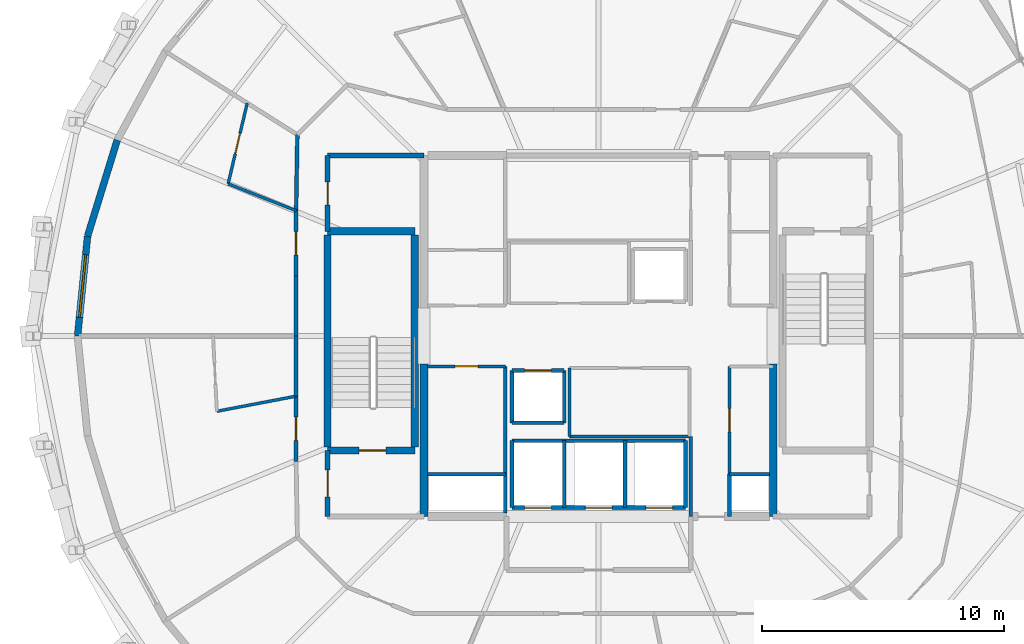
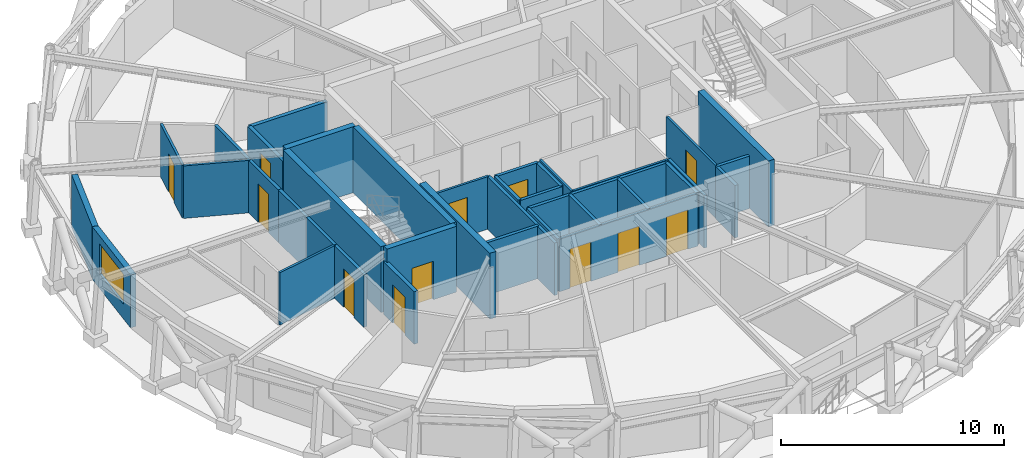
# One storey, part 14 of 18: 38 walls, 12 doors, 1 window, 13 openings.
"""IFC4 building model written with IfcOpenShell, lengths in metres."""

from ifc_helpers import new_model, si_unit, direction, frame, frame_2d, origin, place, context, subcontext, project, spatial, rectangle, extrude, material, layer, layer_set, type_object, element, fill, save


model = new_model("IFC4")

# Units and contexts
model_context = context("Model", 3, precision=1e-05, world=origin(), true_north=direction((0.0, 1.0)))
body_context = subcontext(model_context, "Body", "Model", "MODEL_VIEW")
ifc_project = project(units=[si_unit("LENGTHUNIT", "METRE"), si_unit("AREAUNIT", "SQUARE_METRE"), si_unit("VOLUMEUNIT", "CUBIC_METRE"), si_unit("PLANEANGLEUNIT", "RADIAN"), si_unit("MASSUNIT", "GRAM", prefix="KILO")], contexts=[model_context])

# Site, building, storey
site_placement = place(None, origin())
site = spatial("IfcSite", under=ifc_project, at=site_placement, CompositionType="ELEMENT")
building_placement = place(site_placement, origin())
building = spatial("IfcBuilding", under=site, at=building_placement, Name="Veldorina Hangang Commons", CompositionType="ELEMENT")
storey_placement = place(building_placement, frame((0.0, 0.0, 243.60009765625)))
storey = spatial("IfcBuildingStorey", under=building, at=storey_placement, Name="L63", CompositionType="ELEMENT", Elevation=243.60009765625)

# Walls
ifc_material_1 = material(Name="Concrete C50/60", Category="concrete")
ifc_layer_1 = layer(ifc_material_1, 0.320068359375)
ifc_layer_set_1 = layer_set([ifc_layer_1], Name="Concrete C50/60")
wall_type_1 = type_object("IfcWallType", Name="CW-RC320-C50", PredefinedType="SHEAR", material=ifc_layer_set_1)
for number, where, z_axis, x_axis, name in (
    (1, (24.800048828125, 16.550048828125, 0.0), (0.0, 0.0, 1.0), (0.0, 1.0, 0.0), "L63 W south core shear wall"),
    (2, (39.199951171875, 16.550048828125, 0.0), (0.0, 0.0, 1.0), (0.0, 1.0, 0.0), "L63 E south core shear wall"),
):
    element("IfcWall", number, at=place(storey_placement, frame(where, z_axis=z_axis, x_axis=x_axis)), inside=storey, type_object=wall_type_1, Name=name, PredefinedType="SHEAR", context=body_context, shape_type="SweptSolid", body=[
        extrude(rectangle(XDim=6.300048828125, YDim=0.320068359375, at=frame_2d((3.14990234375, 0.0))), origin(), (0.0, 0.0, 1.0), 3.599853515625),
    ])
ifc_material_2 = material(Name="Stone Roman Travertine", Category="masonry")
ifc_layer_2 = layer(ifc_material_2, 0.280029296875)
ifc_layer_set_2 = layer_set([ifc_layer_2], Name="Stone Roman Travertine")
wall_type_2 = type_object("IfcWallType", Name="EW-TRAV-280", PredefinedType="STANDARD", material=ifc_layer_set_2)
wall_1_placement = place(storey_placement, frame((12.142822265625, 32.0830078125, 0.0), z_axis=(0.0, 0.0, 1.0), x_axis=(-0.294900751468, -0.955527889066, 0.0)))
element("IfcWall", 3, at=wall_1_placement, inside=storey, type_object=wall_type_2, Name="L63 travertine facade wall 14", PredefinedType="STANDARD", context=body_context, shape_type="SweptSolid", body=[
    extrude(rectangle(XDim=4.146728515625, YDim=0.280029296875, at=frame_2d((2.0732421875, 0.0))), origin(), (0.0, 0.0, 1.0), 2.8798828125),
])

# Wall, opening, window
wall_2_placement = place(storey_placement, frame((10.919921875, 28.12060546875, 0.0), z_axis=(0.0, 0.0, 1.0), x_axis=(-0.099748868054, -0.995012644805, 0.0)))
wall_2 = element("IfcWall", 4, at=wall_2_placement, inside=storey, type_object=wall_type_2, Name="L63 travertine facade wall 15", PredefinedType="STANDARD", context=body_context, shape_type="SweptSolid", body=[
    extrude(rectangle(XDim=4.141357421875, YDim=0.280029296875, at=frame_2d((2.07080078125, 0.0))), origin(), (0.0, 0.0, 1.0), 2.8798828125),
])
opening_1_placement = place(wall_2_placement, frame((0.770751953125, 0.0, 0.800048828125)))
opening_1 = element("IfcOpeningElement", 5, at=opening_1_placement, cuts=wall_2, Name="Opening W-02", PredefinedType="OPENING", context=body_context, shape_type="SweptSolid", body=[
    extrude(rectangle(XDim=2.60009765625, YDim=1.64990234375, at=frame_2d((1.300048828125, 0.824951171875))), frame((0.0, 0.14990234375, 0.0), z_axis=(0.0, -1.0, 0.0), x_axis=(1.0, 0.0, 0.0)), (0.0, 0.0, 1.0), 0.300048828125),
])
ifc_material_3 = material(Name="Glass Low-E Triple IGU", Category="glass")
window_type = type_object("IfcWindowType", Name="WIN-TWR-2600", PartitioningType="SINGLE_PANEL", PredefinedType="WINDOW", material=ifc_material_3)
window_placement = place(opening_1_placement, origin())
window = element("IfcWindow", 6, at=window_placement, inside=storey, type_object=window_type, Name="L63 facade window 15", OverallHeight=1.64990234375, OverallWidth=2.60009765625, PartitioningType="SINGLE_PANEL", PredefinedType="WINDOW", context=body_context, shape_type="SweptSolid", body=[
    extrude(rectangle(XDim=2.60009765625, YDim=1.64990234375, at=frame_2d((1.300048828125, 0.824951171875))), frame((0.0, 0.030029296875, 0.0), z_axis=(0.0, -1.0, 0.0), x_axis=(1.0, 0.0, 0.0)), (0.0, 0.0, 1.0), 0.06005859375),
])
fill(opening_1, window)

# Walls
ifc_layer_3 = layer(ifc_material_1, 0.300048828125)
ifc_layer_set_3 = layer_set([ifc_layer_3], Name="Concrete C50/60")
wall_type_3 = type_object("IfcWallType", Name="SW-STAIR-300", PredefinedType="SHEAR", material=ifc_layer_set_3)
for number, where, z_axis, x_axis, name in (
    (7, (20.820068359375, 19.429931640625, 0.0), (0.0, 0.0, 1.0), (0.0, 1.0, 0.0), "L63 ST1 outer stair shear wall"),
    (8, (24.419921875, 19.429931640625, 0.0), (0.0, 0.0, 1.0), (0.0, 1.0, 0.0), "L63 ST1 inner stair shear wall"),
):
    element("IfcWall", number, at=place(storey_placement, frame(where, z_axis=z_axis, x_axis=x_axis)), inside=storey, type_object=wall_type_3, Name=name, PredefinedType="SHEAR", context=body_context, shape_type="SweptSolid", body=[
        extrude(rectangle(XDim=8.739990234375, YDim=0.300048828125, at=frame_2d((4.3701171875, 0.0))), origin(), (0.0, 0.0, 1.0), 3.599853515625),
    ])

# Wall, opening, door
wall_3_placement = place(storey_placement, frame((20.820068359375, 19.280029296875, 0.0), z_axis=(0.0, 0.0, 1.0), x_axis=(1.0, 0.0, 0.0)))
wall_3 = element("IfcWall", 9, at=wall_3_placement, inside=storey, type_object=wall_type_3, Name="L63 ST1 south stair shear wall", PredefinedType="SHEAR", context=body_context, shape_type="SweptSolid", body=[
    extrude(rectangle(XDim=3.599853515625, YDim=0.300048828125, at=frame_2d((1.7998046875, 0.0))), origin(), (0.0, 0.0, 1.0), 3.599853515625),
])
opening_2_placement = place(wall_3_placement, frame((1.300048828125, 0.0, 0.0)))
opening_2 = element("IfcOpeningElement", 10, at=opening_2_placement, cuts=wall_3, Name="Opening D-08", PredefinedType="OPENING", context=body_context, shape_type="SweptSolid", body=[
    extrude(rectangle(XDim=1.10009765625, YDim=2.10009765625, at=frame_2d((0.550048828125, 1.050048828125))), frame((0.0, 0.16015625, 0.0), z_axis=(0.0, -1.0, 0.0), x_axis=(1.0, 0.0, 0.0)), (0.0, 0.0, 1.0), 0.320068359375),
])
ifc_material_4 = material(Name="Steel Fire-Rated Smoke Seal", Category="steel")
door_type_1 = type_object("IfcDoorType", Name="DR-FIRE-1100", OperationType="SINGLE_SWING_RIGHT", PredefinedType="DOOR", material=ifc_material_4)
door_1_placement = place(opening_2_placement, origin())
door_1 = element("IfcDoor", 11, at=door_1_placement, inside=storey, type_object=door_type_1, Name="L63 Special Escape Stair ST-1 door", OperationType="SINGLE_SWING_LEFT", OverallHeight=2.10009765625, OverallWidth=1.10009765625, PredefinedType="DOOR", context=body_context, shape_type="SweptSolid", body=[
    extrude(rectangle(XDim=1.10009765625, YDim=2.10009765625, at=frame_2d((0.550048828125, 1.050048828125))), frame((0.0, 0.02490234375, 0.0), z_axis=(0.0, -1.0, 0.0), x_axis=(1.0, 0.0, 0.0)), (0.0, 0.0, 1.0), 0.050048828125),
])
fill(opening_2, door_1)

# Walls
wall_4_placement = place(storey_placement, frame((20.820068359375, 28.320068359375, 0.0), z_axis=(0.0, 0.0, 1.0), x_axis=(1.0, 0.0, 0.0)))
element("IfcWall", 12, at=wall_4_placement, inside=storey, type_object=wall_type_3, Name="L63 ST1 north stair shear wall", PredefinedType="SHEAR", context=body_context, shape_type="SweptSolid", body=[
    extrude(rectangle(XDim=3.599853515625, YDim=0.300048828125, at=frame_2d((1.7998046875, 0.0))), origin(), (0.0, 0.0, 1.0), 3.599853515625),
])
ifc_material_5 = material(Name="Gypsum Fire-Rated Twin Stud Wall", Category="gypsum")
ifc_layer_4 = layer(ifc_material_5, 0.159912109375)
ifc_layer_set_4 = layer_set([ifc_layer_4], Name="Gypsum Fire-Rated Twin Stud Wall")
wall_type_4 = type_object("IfcWallType", Name="WL-FIRE-160", PredefinedType="SOLIDWALL", material=ifc_layer_set_4)
wall_5_placement = place(storey_placement, frame((35.800048828125, 16.550048828125, 0.0), z_axis=(0.0, 0.0, 1.0), x_axis=(0.0, 1.0, 0.0)))
element("IfcWall", 13, at=wall_5_placement, inside=storey, type_object=wall_type_4, Name="L63 Lift passage SW wall 009", PredefinedType="SOLIDWALL", context=body_context, shape_type="SweptSolid", body=[
    extrude(rectangle(XDim=3.300048828125, YDim=0.159912109375, at=frame_2d((1.64990234375, 0.0))), origin(), (0.0, 0.0, 1.0), 2.869873046875),
])
wall_6_placement = place(storey_placement, frame((37.39990234375, 16.550048828125, 0.0), z_axis=(0.0, 0.0, 1.0), x_axis=(0.0, 1.0, 0.0)))
element("IfcWall", 14, at=wall_6_placement, inside=storey, type_object=wall_type_4, Name="L63 Lift passage SE stub 010", PredefinedType="SOLIDWALL", context=body_context, shape_type="SweptSolid", body=[
    extrude(rectangle(XDim=1.75, YDim=0.159912109375, at=frame_2d((0.875, 0.0))), origin(), (0.0, 0.0, 1.0), 2.869873046875),
])

# Wall, opening, door
wall_7_placement = place(storey_placement, frame((28.419921875, 22.580078125, 0.0), z_axis=(0.0, 0.0, 1.0), x_axis=(1.0, 0.0, 0.0)))
wall_7 = element("IfcWall", 15, at=wall_7_placement, inside=storey, type_object=wall_type_4, Name="L63 Shuttle-high front shaft wall 019", PredefinedType="SOLIDWALL", context=body_context, shape_type="SweptSolid", body=[
    extrude(rectangle(XDim=2.16015625, YDim=0.159912109375, at=frame_2d((1.080078125, 0.0))), origin(), (0.0, 0.0, 1.0), 2.869873046875),
])
opening_3_placement = place(wall_7_placement, frame((0.530029296875, 0.0, 0.0)))
opening_3 = element("IfcOpeningElement", 16, at=opening_3_placement, cuts=wall_7, Name="Opening LD-01", PredefinedType="OPENING", context=body_context, shape_type="SweptSolid", body=[
    extrude(rectangle(XDim=1.10009765625, YDim=2.14990234375, at=frame_2d((0.550048828125, 1.074951171875))), frame((0.0, 0.08984375, 0.0), z_axis=(0.0, -1.0, 0.0), x_axis=(1.0, 0.0, 0.0)), (0.0, 0.0, 1.0), 0.179931640625),
])
ifc_material_6 = material(Name="Stainless Steel Brushed Lift Door", Category="steel")
door_type_2 = type_object("IfcDoorType", Name="DR-LIFT-1100", OperationType="SLIDING_TO_LEFT", PredefinedType="DOOR", material=ifc_material_6)
door_2_placement = place(opening_3_placement, origin())
door_2 = element("IfcDoor", 17, at=door_2_placement, inside=storey, type_object=door_type_2, Name="L63 Lift PL-H2 landing door 007", OperationType="SLIDING_TO_LEFT", OverallHeight=2.14990234375, OverallWidth=1.10009765625, PredefinedType="DOOR", context=body_context, shape_type="SweptSolid", body=[
    extrude(rectangle(XDim=1.10009765625, YDim=2.14990234375, at=frame_2d((0.550048828125, 1.074951171875))), frame((0.0, 0.02490234375, 0.0), z_axis=(0.0, -1.0, 0.0), x_axis=(1.0, 0.0, 0.0)), (0.0, 0.0, 1.0), 0.050048828125),
])
fill(opening_3, door_2)

# Walls
for number, where, z_axis, x_axis, name in (
    (18, (28.419921875, 20.419921875, 0.0), (0.0, 0.0, 1.0), (1.0, 0.0, 0.0), "L63 Shuttle-high rear shaft wall 020"),
    (19, (28.419921875, 20.419921875, 0.0), (0.0, 0.0, 1.0), (0.0, 1.0, 0.0), "L63 PL-H2 west shaft wall 021"),
    (20, (30.580078125, 20.419921875, 0.0), (0.0, 0.0, 1.0), (0.0, 1.0, 0.0), "L63 PL-H2 east shaft wall 022"),
):
    element("IfcWall", number, at=place(storey_placement, frame(where, z_axis=z_axis, x_axis=x_axis)), inside=storey, type_object=wall_type_4, Name=name, PredefinedType="SOLIDWALL", context=body_context, shape_type="SweptSolid", body=[
        extrude(rectangle(XDim=2.16015625, YDim=0.159912109375, at=frame_2d((1.080078125, 0.0))), origin(), (0.0, 0.0, 1.0), 2.869873046875),
    ])

# Wall, openings, doors
wall_8_placement = place(storey_placement, frame((28.419921875, 16.919921875, 0.0), z_axis=(0.0, 0.0, 1.0), x_axis=(1.0, 0.0, 0.0)))
wall_8 = element("IfcWall", 21, at=wall_8_placement, inside=storey, type_object=wall_type_4, Name="L63 Emergency front shaft wall 023", PredefinedType="SOLIDWALL", context=body_context, shape_type="SweptSolid", body=[
    extrude(rectangle(XDim=7.16015625, YDim=0.159912109375, at=frame_2d((3.580078125, 0.0))), origin(), (0.0, 0.0, 1.0), 2.869873046875),
])
opening_4_placement = place(wall_8_placement, frame((0.530029296875, 0.0, 0.0)))
opening_4 = element("IfcOpeningElement", 22, at=opening_4_placement, cuts=wall_8, Name="Opening LD-03", PredefinedType="OPENING", context=body_context, shape_type="SweptSolid", body=[
    extrude(rectangle(XDim=1.10009765625, YDim=2.14990234375, at=frame_2d((0.550048828125, 1.074951171875))), frame((0.0, 0.08984375, 0.0), z_axis=(0.0, -1.0, 0.0), x_axis=(1.0, 0.0, 0.0)), (0.0, 0.0, 1.0), 0.179931640625),
])
opening_5_placement = place(wall_8_placement, frame((3.030029296875, 0.0, 0.0)))
opening_5 = element("IfcOpeningElement", 23, at=opening_5_placement, cuts=wall_8, Name="Opening LD-03", PredefinedType="OPENING", context=body_context, shape_type="SweptSolid", body=[
    extrude(rectangle(XDim=1.10009765625, YDim=2.14990234375, at=frame_2d((0.550048828125, 1.074951171875))), frame((0.0, 0.08984375, 0.0), z_axis=(0.0, -1.0, 0.0), x_axis=(1.0, 0.0, 0.0)), (0.0, 0.0, 1.0), 0.179931640625),
])
opening_6_placement = place(wall_8_placement, frame((5.530029296875, 0.0, 0.0)))
opening_6 = element("IfcOpeningElement", 24, at=opening_6_placement, cuts=wall_8, Name="Opening LD-03", PredefinedType="OPENING", context=body_context, shape_type="SweptSolid", body=[
    extrude(rectangle(XDim=1.10009765625, YDim=2.14990234375, at=frame_2d((0.550048828125, 1.074951171875))), frame((0.0, 0.08984375, 0.0), z_axis=(0.0, -1.0, 0.0), x_axis=(1.0, 0.0, 0.0)), (0.0, 0.0, 1.0), 0.179931640625),
])
ifc_material_7 = material(Name="Stainless Steel Firefighting Lift Door", Category="steel")
door_type_3 = type_object("IfcDoorType", Name="DR-LIFT-FF1100", OperationType="SLIDING_TO_RIGHT", PredefinedType="DOOR", material=ifc_material_7)
door_3_placement = place(opening_4_placement, origin())
door_3 = element("IfcDoor", 25, at=door_3_placement, inside=storey, type_object=door_type_3, Name="L63 Emergency lift FFL-1 landing door 008", OperationType="SLIDING_TO_RIGHT", OverallHeight=2.14990234375, OverallWidth=1.10009765625, PredefinedType="DOOR", context=body_context, shape_type="SweptSolid", body=[
    extrude(rectangle(XDim=1.10009765625, YDim=2.14990234375, at=frame_2d((0.550048828125, 1.074951171875))), frame((0.0, 0.02490234375, 0.0), z_axis=(0.0, -1.0, 0.0), x_axis=(1.0, 0.0, 0.0)), (0.0, 0.0, 1.0), 0.050048828125),
])
fill(opening_4, door_3)
door_4_placement = place(opening_5_placement, origin())
door_4 = element("IfcDoor", 26, at=door_4_placement, inside=storey, type_object=door_type_3, Name="L63 Emergency lift FFL-2 landing door 009", OperationType="SLIDING_TO_RIGHT", OverallHeight=2.14990234375, OverallWidth=1.10009765625, PredefinedType="DOOR", context=body_context, shape_type="SweptSolid", body=[
    extrude(rectangle(XDim=1.10009765625, YDim=2.14990234375, at=frame_2d((0.550048828125, 1.074951171875))), frame((0.0, 0.02490234375, 0.0), z_axis=(0.0, -1.0, 0.0), x_axis=(1.0, 0.0, 0.0)), (0.0, 0.0, 1.0), 0.050048828125),
])
fill(opening_5, door_4)
door_5_placement = place(opening_6_placement, origin())
door_5 = element("IfcDoor", 27, at=door_5_placement, inside=storey, type_object=door_type_3, Name="L63 Emergency lift EVL-1 landing door 010", OperationType="SLIDING_TO_RIGHT", OverallHeight=2.14990234375, OverallWidth=1.10009765625, PredefinedType="DOOR", context=body_context, shape_type="SweptSolid", body=[
    extrude(rectangle(XDim=1.10009765625, YDim=2.14990234375, at=frame_2d((0.550048828125, 1.074951171875))), frame((0.0, 0.02490234375, 0.0), z_axis=(0.0, -1.0, 0.0), x_axis=(1.0, 0.0, 0.0)), (0.0, 0.0, 1.0), 0.050048828125),
])
fill(opening_6, door_5)

# Walls
wall_9_placement = place(storey_placement, frame((28.419921875, 19.679931640625, 0.0), z_axis=(0.0, 0.0, 1.0), x_axis=(1.0, 0.0, 0.0)))
element("IfcWall", 28, at=wall_9_placement, inside=storey, type_object=wall_type_4, Name="L63 Emergency rear shaft wall 024", PredefinedType="SOLIDWALL", context=body_context, shape_type="SweptSolid", body=[
    extrude(rectangle(XDim=7.16015625, YDim=0.159912109375, at=frame_2d((3.580078125, 0.0))), origin(), (0.0, 0.0, 1.0), 2.869873046875),
])
for number, where, z_axis, x_axis, name in (
    (29, (28.419921875, 16.919921875, 0.0), (0.0, 0.0, 1.0), (0.0, 1.0, 0.0), "L63 FFL-1 west shaft wall 025"),
    (30, (30.580078125, 16.919921875, 0.0), (0.0, 0.0, 1.0), (0.0, 1.0, 0.0), "L63 FFL-1 east shaft wall 026"),
    (31, (33.080078125, 16.919921875, 0.0), (0.0, 0.0, 1.0), (0.0, 1.0, 0.0), "L63 FFL-2 east shaft wall 027"),
    (32, (35.580078125, 16.919921875, 0.0), (0.0, 0.0, 1.0), (0.0, 1.0, 0.0), "L63 EVL-1 east shaft wall 028"),
):
    element("IfcWall", number, at=place(storey_placement, frame(where, z_axis=z_axis, x_axis=x_axis)), inside=storey, type_object=wall_type_4, Name=name, PredefinedType="SOLIDWALL", context=body_context, shape_type="SweptSolid", body=[
        extrude(rectangle(XDim=2.760009765625, YDim=0.159912109375, at=frame_2d((1.3798828125, 0.0))), origin(), (0.0, 0.0, 1.0), 2.869873046875),
    ])
wall_10_placement = place(storey_placement, frame((24.949951171875, 18.300048828125, 0.0), z_axis=(0.0, 0.0, 1.0), x_axis=(1.0, 0.0, 0.0)))
element("IfcWall", 33, at=wall_10_placement, inside=storey, type_object=wall_type_4, Name="L63 Electrical riser wall 040", PredefinedType="SOLIDWALL", context=body_context, shape_type="SweptSolid", body=[
    extrude(rectangle(XDim=3.199951171875, YDim=0.159912109375, at=frame_2d((1.60009765625, 0.0))), origin(), (0.0, 0.0, 1.0), 2.869873046875),
])
wall_11_placement = place(storey_placement, frame((28.14990234375, 16.699951171875, 0.0), z_axis=(0.0, 0.0, 1.0), x_axis=(0.0, 1.0, 0.0)))
element("IfcWall", 34, at=wall_11_placement, inside=storey, type_object=wall_type_4, Name="L63 SW core inner wall 041", PredefinedType="SOLIDWALL", context=body_context, shape_type="SweptSolid", body=[
    extrude(rectangle(XDim=6.050048828125, YDim=0.159912109375, at=frame_2d((3.02490234375, 0.0))), origin(), (0.0, 0.0, 1.0), 2.869873046875),
])
wall_12_placement = place(storey_placement, frame((37.39990234375, 18.300048828125, 0.0), z_axis=(0.0, 0.0, 1.0), x_axis=(1.0, 0.0, 0.0)))
element("IfcWall", 35, at=wall_12_placement, inside=storey, type_object=wall_type_4, Name="L63 Plumbing riser wall 042", PredefinedType="SOLIDWALL", context=body_context, shape_type="SweptSolid", body=[
    extrude(rectangle(XDim=1.650146484375, YDim=0.159912109375, at=frame_2d((0.8251953125, 0.0))), origin(), (0.0, 0.0, 1.0), 2.869873046875),
])
wall_13_placement = place(storey_placement, frame((19.5732421875, 32.30322265625, 0.0), z_axis=(0.0, 0.0, 1.0), x_axis=(-0.016981035134, -0.999855811828, 0.0)))
element("IfcWall", 36, at=wall_13_placement, inside=storey, type_object=wall_type_4, Name="L63 Compact collar outer wall 13 065", PredefinedType="SOLIDWALL", context=body_context, shape_type="SweptSolid", body=[
    extrude(rectangle(XDim=3.13427734375, YDim=0.159912109375, at=frame_2d((1.567138671875, 0.0))), origin(), (0.0, 0.0, 1.0), 2.869873046875),
])

# Wall, opening, door
wall_14_placement = place(storey_placement, frame((19.52001953125, 29.16943359375, 0.0), z_axis=(0.0, 0.0, 1.0), x_axis=(0.0, -1.0, 0.0)))
wall_14 = element("IfcWall", 37, at=wall_14_placement, inside=storey, type_object=wall_type_4, Name="L63 Compact collar outer wall 14 066", PredefinedType="SOLIDWALL", context=body_context, shape_type="SweptSolid", body=[
    extrude(rectangle(XDim=2.68701171875, YDim=0.159912109375, at=frame_2d((1.343505859375, 0.0))), origin(), (0.0, 0.0, 1.0), 2.869873046875),
])
opening_7_placement = place(wall_14_placement, frame((0.868408203125, 0.0, 0.0)))
opening_7 = element("IfcOpeningElement", 38, at=opening_7_placement, cuts=wall_14, Name="Opening D-03", PredefinedType="OPENING", context=body_context, shape_type="SweptSolid", body=[
    extrude(rectangle(XDim=0.949951171875, YDim=2.10009765625, at=frame_2d((0.47509765625, 1.050048828125))), frame((0.0, 0.08984375, 0.0), z_axis=(0.0, -1.0, 0.0), x_axis=(1.0, 0.0, 0.0)), (0.0, 0.0, 1.0), 0.179931640625),
])
ifc_material_8 = material(Name="Timber Fire-Rated Entrance Core", Category="wood")
door_type_4 = type_object("IfcDoorType", Name="DR-UNIT-950", OperationType="SINGLE_SWING_RIGHT", PredefinedType="DOOR", material=ifc_material_8)
door_6_placement = place(opening_7_placement, origin())
door_6 = element("IfcDoor", 39, at=door_6_placement, inside=storey, type_object=door_type_4, Name="L63 Studio 5 entrance door 035", OperationType="SINGLE_SWING_LEFT", OverallHeight=2.10009765625, OverallWidth=0.949951171875, PredefinedType="DOOR", context=body_context, shape_type="SweptSolid", body=[
    extrude(rectangle(XDim=0.949951171875, YDim=2.10009765625, at=frame_2d((0.47509765625, 1.050048828125))), frame((0.0, 0.02490234375, 0.0), z_axis=(0.0, -1.0, 0.0), x_axis=(1.0, 0.0, 0.0)), (0.0, 0.0, 1.0), 0.050048828125),
])
fill(opening_7, door_6)

# Walls
for number, where, z_axis, x_axis, name in (
    (40, (19.52001953125, 26.482421875, 0.0), (0.0, 0.0, 1.0), (0.0, -1.0, 0.0), "L63 Compact collar outer wall 15 067"),
    (41, (19.52001953125, 24.0, 0.0), (0.0, 0.0, 1.0), (0.0, -1.0, 0.0), "L63 Compact collar outer wall 16 068"),
):
    element("IfcWall", number, at=place(storey_placement, frame(where, z_axis=z_axis, x_axis=x_axis)), inside=storey, type_object=wall_type_4, Name=name, PredefinedType="SOLIDWALL", context=body_context, shape_type="SweptSolid", body=[
        extrude(rectangle(XDim=2.482421875, YDim=0.159912109375, at=frame_2d((1.2412109375, 0.0))), origin(), (0.0, 0.0, 1.0), 2.869873046875),
    ])

# Wall, opening, door
wall_15_placement = place(storey_placement, frame((19.52001953125, 21.517578125, 0.0), z_axis=(0.0, 0.0, 1.0), x_axis=(0.0, -1.0, 0.0)))
wall_15 = element("IfcWall", 42, at=wall_15_placement, inside=storey, type_object=wall_type_4, Name="L63 Compact collar outer wall 17 069", PredefinedType="SOLIDWALL", context=body_context, shape_type="SweptSolid", body=[
    extrude(rectangle(XDim=2.68701171875, YDim=0.159912109375, at=frame_2d((1.343505859375, 0.0))), origin(), (0.0, 0.0, 1.0), 2.869873046875),
])
opening_8_placement = place(wall_15_placement, frame((0.868408203125, 0.0, 0.0)))
opening_8 = element("IfcOpeningElement", 43, at=opening_8_placement, cuts=wall_15, Name="Opening D-03", PredefinedType="OPENING", context=body_context, shape_type="SweptSolid", body=[
    extrude(rectangle(XDim=0.949951171875, YDim=2.10009765625, at=frame_2d((0.47509765625, 1.050048828125))), frame((0.0, 0.08984375, 0.0), z_axis=(0.0, -1.0, 0.0), x_axis=(1.0, 0.0, 0.0)), (0.0, 0.0, 1.0), 0.179931640625),
])
door_7_placement = place(opening_8_placement, origin())
door_7 = element("IfcDoor", 44, at=door_7_placement, inside=storey, type_object=door_type_4, Name="L63 Studio 6 entrance door 037", OperationType="SINGLE_SWING_LEFT", OverallHeight=2.10009765625, OverallWidth=0.949951171875, PredefinedType="DOOR", context=body_context, shape_type="SweptSolid", body=[
    extrude(rectangle(XDim=0.949951171875, YDim=2.10009765625, at=frame_2d((0.47509765625, 1.050048828125))), frame((0.0, 0.02490234375, 0.0), z_axis=(0.0, -1.0, 0.0), x_axis=(1.0, 0.0, 0.0)), (0.0, 0.0, 1.0), 0.050048828125),
])
fill(opening_8, door_7)

ifc_material_9 = material(Name="Concrete Blockwork Fire Wall C30/37", Category="masonry")
ifc_layer_5 = layer(ifc_material_9, 0.199951171875)
ifc_layer_set_5 = layer_set([ifc_layer_5], Name="Concrete Blockwork Fire Wall C30/37")
wall_type_5 = type_object("IfcWallType", Name="WL-FIRE-200", PredefinedType="SOLIDWALL", material=ifc_layer_set_5)
wall_16_placement = place(storey_placement, frame((20.820068359375, 16.550048828125, 0.0), z_axis=(0.0, 0.0, 1.0), x_axis=(0.0, 1.0, 0.0)))
wall_16 = element("IfcWall", 45, at=wall_16_placement, inside=storey, type_object=wall_type_5, Name="L63 West vestibule outer wall 001", PredefinedType="SOLIDWALL", context=body_context, shape_type="SweptSolid", body=[
    extrude(rectangle(XDim=2.72998046875, YDim=0.199951171875, at=frame_2d((1.364990234375, 0.0))), origin(), (0.0, 0.0, 1.0), 2.869873046875),
])
opening_9_placement = place(wall_16_placement, frame((0.81494140625, 0.0, 0.0)))
opening_9 = element("IfcOpeningElement", 46, at=opening_9_placement, cuts=wall_16, Name="Opening D-08", PredefinedType="OPENING", context=body_context, shape_type="SweptSolid", body=[
    extrude(rectangle(XDim=1.10009765625, YDim=2.10009765625, at=frame_2d((0.550048828125, 1.050048828125))), frame((0.0, 0.10986328125, 0.0), z_axis=(0.0, -1.0, 0.0), x_axis=(1.0, 0.0, 0.0)), (0.0, 0.0, 1.0), 0.219970703125),
])
door_8_placement = place(opening_9_placement, origin())
door_8 = element("IfcDoor", 47, at=door_8_placement, inside=storey, type_object=door_type_1, Name="L63 West vestibule west door 001", OperationType="SINGLE_SWING_LEFT", OverallHeight=2.10009765625, OverallWidth=1.10009765625, PredefinedType="DOOR", context=body_context, shape_type="SweptSolid", body=[
    extrude(rectangle(XDim=1.10009765625, YDim=2.10009765625, at=frame_2d((0.550048828125, 1.050048828125))), frame((0.0, 0.02490234375, 0.0), z_axis=(0.0, -1.0, 0.0), x_axis=(1.0, 0.0, 0.0)), (0.0, 0.0, 1.0), 0.050048828125),
])
fill(opening_9, door_8)

wall_17_placement = place(storey_placement, frame((20.820068359375, 28.320068359375, 0.0), z_axis=(0.0, 0.0, 1.0), x_axis=(0.0, 1.0, 0.0)))
wall_17 = element("IfcWall", 48, at=wall_17_placement, inside=storey, type_object=wall_type_5, Name="L63 NW core room outer wall 005", PredefinedType="SOLIDWALL", context=body_context, shape_type="SweptSolid", body=[
    extrude(rectangle(XDim=3.1298828125, YDim=0.199951171875, at=frame_2d((1.56494140625, 0.0))), origin(), (0.0, 0.0, 1.0), 2.869873046875),
])
opening_10_placement = place(wall_17_placement, frame((1.090087890625, 0.0, 0.0)))
opening_10 = element("IfcOpeningElement", 49, at=opening_10_placement, cuts=wall_17, Name="Opening D-04", PredefinedType="OPENING", context=body_context, shape_type="SweptSolid", body=[
    extrude(rectangle(XDim=0.949951171875, YDim=2.10009765625, at=frame_2d((0.47509765625, 1.050048828125))), frame((0.0, 0.10986328125, 0.0), z_axis=(0.0, -1.0, 0.0), x_axis=(1.0, 0.0, 0.0)), (0.0, 0.0, 1.0), 0.219970703125),
])
ifc_material_10 = material(Name="Timber Accessible Flush Leaf", Category="wood")
door_type_5 = type_object("IfcDoorType", Name="DR-ACC-950", OperationType="SINGLE_SWING_LEFT", PredefinedType="DOOR", material=ifc_material_10)
door_9_placement = place(opening_10_placement, origin())
door_9 = element("IfcDoor", 50, at=door_9_placement, inside=storey, type_object=door_type_5, Name="L63 NW core WC door 003", OperationType="SINGLE_SWING_LEFT", OverallHeight=2.10009765625, OverallWidth=0.949951171875, PredefinedType="DOOR", context=body_context, shape_type="SweptSolid", body=[
    extrude(rectangle(XDim=0.949951171875, YDim=2.10009765625, at=frame_2d((0.47509765625, 1.050048828125))), frame((0.0, 0.02490234375, 0.0), z_axis=(0.0, -1.0, 0.0), x_axis=(1.0, 0.0, 0.0)), (0.0, 0.0, 1.0), 0.050048828125),
])
fill(opening_10, door_9)

# Walls
wall_18_placement = place(storey_placement, frame((20.820068359375, 31.449951171875, 0.0), z_axis=(0.0, 0.0, 1.0), x_axis=(1.0, 0.0, 0.0)))
element("IfcWall", 51, at=wall_18_placement, inside=storey, type_object=wall_type_5, Name="L63 NW core room north wall 006", PredefinedType="SOLIDWALL", context=body_context, shape_type="SweptSolid", body=[
    extrude(rectangle(XDim=3.97998046875, YDim=0.199951171875, at=frame_2d((1.989990234375, 0.0))), origin(), (0.0, 0.0, 1.0), 2.869873046875),
])
ifc_material_11 = material(Name="Gypsum Acoustic Stud Partition", Category="gypsum")
ifc_layer_6 = layer(ifc_material_11, 0.1201171875)
ifc_layer_set_6 = layer_set([ifc_layer_6], Name="Gypsum Acoustic Stud Partition")
wall_type_6 = type_object("IfcWallType", Name="WL-PART-120", PredefinedType="PARTITIONING", material=ifc_layer_set_6)
wall_19_placement = place(storey_placement, frame((30.800048828125, 19.85009765625, 0.0), z_axis=(0.0, 0.0, 1.0), x_axis=(1.0, 0.0, 0.0)))
element("IfcWall", 52, at=wall_19_placement, inside=storey, type_object=wall_type_6, Name="L63 Merged shuttle south wall 037", PredefinedType="PARTITIONING", context=body_context, shape_type="SweptSolid", body=[
    extrude(rectangle(XDim=4.949951171875, YDim=0.1201171875, at=frame_2d((2.47509765625, 0.0))), origin(), (0.0, 0.0, 1.0), 2.869873046875),
])
wall_20_placement = place(storey_placement, frame((30.800048828125, 19.85009765625, 0.0), z_axis=(0.0, 0.0, 1.0), x_axis=(0.0, 1.0, 0.0)))
element("IfcWall", 53, at=wall_20_placement, inside=storey, type_object=wall_type_6, Name="L63 Merged shuttle west wall 038", PredefinedType="PARTITIONING", context=body_context, shape_type="SweptSolid", body=[
    extrude(rectangle(XDim=2.829833984375, YDim=0.1201171875, at=frame_2d((1.4150390625, 0.0))), origin(), (0.0, 0.0, 1.0), 2.869873046875),
])

# Wall, opening, door
wall_21_placement = place(storey_placement, frame((24.949951171875, 22.75, 0.0), z_axis=(0.0, 0.0, 1.0), x_axis=(1.0, 0.0, 0.0)))
wall_21 = element("IfcWall", 54, at=wall_21_placement, inside=storey, type_object=wall_type_6, Name="L63 SW service north wall 045", PredefinedType="PARTITIONING", context=body_context, shape_type="SweptSolid", body=[
    extrude(rectangle(XDim=3.199951171875, YDim=0.1201171875, at=frame_2d((1.60009765625, 0.0))), origin(), (0.0, 0.0, 1.0), 2.869873046875),
])
opening_11_placement = place(wall_21_placement, frame((1.125, 0.0, 0.0)))
opening_11 = element("IfcOpeningElement", 55, at=opening_11_placement, cuts=wall_21, Name="Opening D-02", PredefinedType="OPENING", context=body_context, shape_type="SweptSolid", body=[
    extrude(rectangle(XDim=0.949951171875, YDim=2.10009765625, at=frame_2d((0.47509765625, 1.050048828125))), frame((0.0, 0.070068359375, 0.0), z_axis=(0.0, -1.0, 0.0), x_axis=(1.0, 0.0, 0.0)), (0.0, 0.0, 1.0), 0.14013671875),
])
ifc_material_12 = material(Name="Timber Solid Core Acoustic", Category="wood")
door_type_6 = type_object("IfcDoorType", Name="DR-INT-950", OperationType="SINGLE_SWING_LEFT", PredefinedType="DOOR", material=ifc_material_12)
door_10_placement = place(opening_11_placement, origin())
door_10 = element("IfcDoor", 56, at=door_10_placement, inside=storey, type_object=door_type_6, Name="L63 Waste sorting door 016", OperationType="SINGLE_SWING_RIGHT", OverallHeight=2.10009765625, OverallWidth=0.949951171875, PredefinedType="DOOR", context=body_context, shape_type="SweptSolid", body=[
    extrude(rectangle(XDim=0.949951171875, YDim=2.10009765625, at=frame_2d((0.47509765625, 1.050048828125))), frame((0.0, 0.02490234375, 0.0), z_axis=(0.0, -1.0, 0.0), x_axis=(1.0, 0.0, 0.0)), (0.0, 0.0, 1.0), 0.050048828125),
])
fill(opening_11, door_10)

wall_22_placement = place(storey_placement, frame((37.39990234375, 18.300048828125, 0.0), z_axis=(0.0, 0.0, 1.0), x_axis=(0.0, 1.0, 0.0)))
wall_22 = element("IfcWall", 57, at=wall_22_placement, inside=storey, type_object=wall_type_6, Name="L63 SE strip lobby wall 048", PredefinedType="PARTITIONING", context=body_context, shape_type="SweptSolid", body=[
    extrude(rectangle(XDim=4.449951171875, YDim=0.1201171875, at=frame_2d((2.22509765625, 0.0))), origin(), (0.0, 0.0, 1.0), 2.869873046875),
])
opening_12_placement = place(wall_22_placement, frame((1.75, 0.0, 0.0)))
opening_12 = element("IfcOpeningElement", 58, at=opening_12_placement, cuts=wall_22, Name="Opening D-02", PredefinedType="OPENING", context=body_context, shape_type="SweptSolid", body=[
    extrude(rectangle(XDim=0.949951171875, YDim=2.10009765625, at=frame_2d((0.47509765625, 1.050048828125))), frame((0.0, 0.070068359375, 0.0), z_axis=(0.0, -1.0, 0.0), x_axis=(1.0, 0.0, 0.0)), (0.0, 0.0, 1.0), 0.14013671875),
])
door_11_placement = place(opening_12_placement, origin())
door_11 = element("IfcDoor", 59, at=door_11_placement, inside=storey, type_object=door_type_6, Name="L63 Cleaners supply door 019", OperationType="SINGLE_SWING_LEFT", OverallHeight=2.10009765625, OverallWidth=0.949951171875, PredefinedType="DOOR", context=body_context, shape_type="SweptSolid", body=[
    extrude(rectangle(XDim=0.949951171875, YDim=2.10009765625, at=frame_2d((0.47509765625, 1.050048828125))), frame((0.0, 0.02490234375, 0.0), z_axis=(0.0, -1.0, 0.0), x_axis=(1.0, 0.0, 0.0)), (0.0, 0.0, 1.0), 0.050048828125),
])
fill(opening_12, door_11)

wall_23_placement = place(storey_placement, frame((17.50439453125, 33.607177734375, 0.0), z_axis=(0.0, 0.0, 1.0), x_axis=(-0.230128636875, -0.973160218304, 0.0)))
wall_23 = element("IfcWall", 60, at=wall_23_placement, inside=storey, type_object=wall_type_6, Name="L63 Studio 5 bath front wall 109", PredefinedType="PARTITIONING", context=body_context, shape_type="SweptSolid", body=[
    extrude(rectangle(XDim=3.42236328125, YDim=0.1201171875, at=frame_2d((1.711181640625, 0.0))), origin(), (0.0, 0.0, 1.0), 2.869873046875),
])
opening_13_placement = place(wall_23_placement, frame((1.28125, 0.0, 0.0)))
opening_13 = element("IfcOpeningElement", 61, at=opening_13_placement, cuts=wall_23, Name="Opening D-01", PredefinedType="OPENING", context=body_context, shape_type="SweptSolid", body=[
    extrude(rectangle(XDim=0.860107421875, YDim=2.10009765625, at=frame_2d((0.43017578125, 1.050048828125))), frame((0.0, 0.070068359375, 0.0), z_axis=(0.0, -1.0, 0.0), x_axis=(1.0, 0.0, 0.0)), (0.0, 0.0, 1.0), 0.14013671875),
])
ifc_material_13 = material(Name="Timber Moisture-Resistant Core", Category="wood")
door_type_7 = type_object("IfcDoorType", Name="DR-WET-860", OperationType="SINGLE_SWING_LEFT", PredefinedType="DOOR", material=ifc_material_13)
door_12_placement = place(opening_13_placement, origin())
door_12 = element("IfcDoor", 62, at=door_12_placement, inside=storey, type_object=door_type_7, Name="L63 Studio 5 bathroom door 034", OperationType="SINGLE_SWING_RIGHT", OverallHeight=2.10009765625, OverallWidth=0.860107421875, PredefinedType="DOOR", context=body_context, shape_type="SweptSolid", body=[
    extrude(rectangle(XDim=0.860107421875, YDim=2.10009765625, at=frame_2d((0.43017578125, 1.050048828125))), frame((0.0, 0.02490234375, 0.0), z_axis=(0.0, -1.0, 0.0), x_axis=(1.0, 0.0, 0.0)), (0.0, 0.0, 1.0), 0.050048828125),
])
fill(opening_13, door_12)

# Walls
wall_24_placement = place(storey_placement, frame((19.52001953125, 29.16943359375, 0.0), z_axis=(0.0, 0.0, 1.0), x_axis=(-0.930082401802, 0.367350957339, 0.0)))
element("IfcWall", 63, at=wall_24_placement, inside=storey, type_object=wall_type_6, Name="L63 Studio 5 bath side wall 110", PredefinedType="PARTITIONING", context=body_context, shape_type="SweptSolid", body=[
    extrude(rectangle(XDim=3.013916015625, YDim=0.1201171875, at=frame_2d((1.5068359375, 0.0))), origin(), (0.0, 0.0, 1.0), 2.869873046875),
])
wall_25_placement = place(storey_placement, frame((19.52001953125, 21.517578125, 0.0), z_axis=(0.0, 0.0, 1.0), x_axis=(-0.982334712285, -0.187132340978, 0.0)))
element("IfcWall", 64, at=wall_25_placement, inside=storey, type_object=wall_type_6, Name="L63 Studio 6 bath side wall 113", PredefinedType="PARTITIONING", context=body_context, shape_type="SweptSolid", body=[
    extrude(rectangle(XDim=3.326904296875, YDim=0.1201171875, at=frame_2d((1.66357421875, 0.0))), origin(), (0.0, 0.0, 1.0), 2.869873046875),
])

save(model, "model.ifc")
